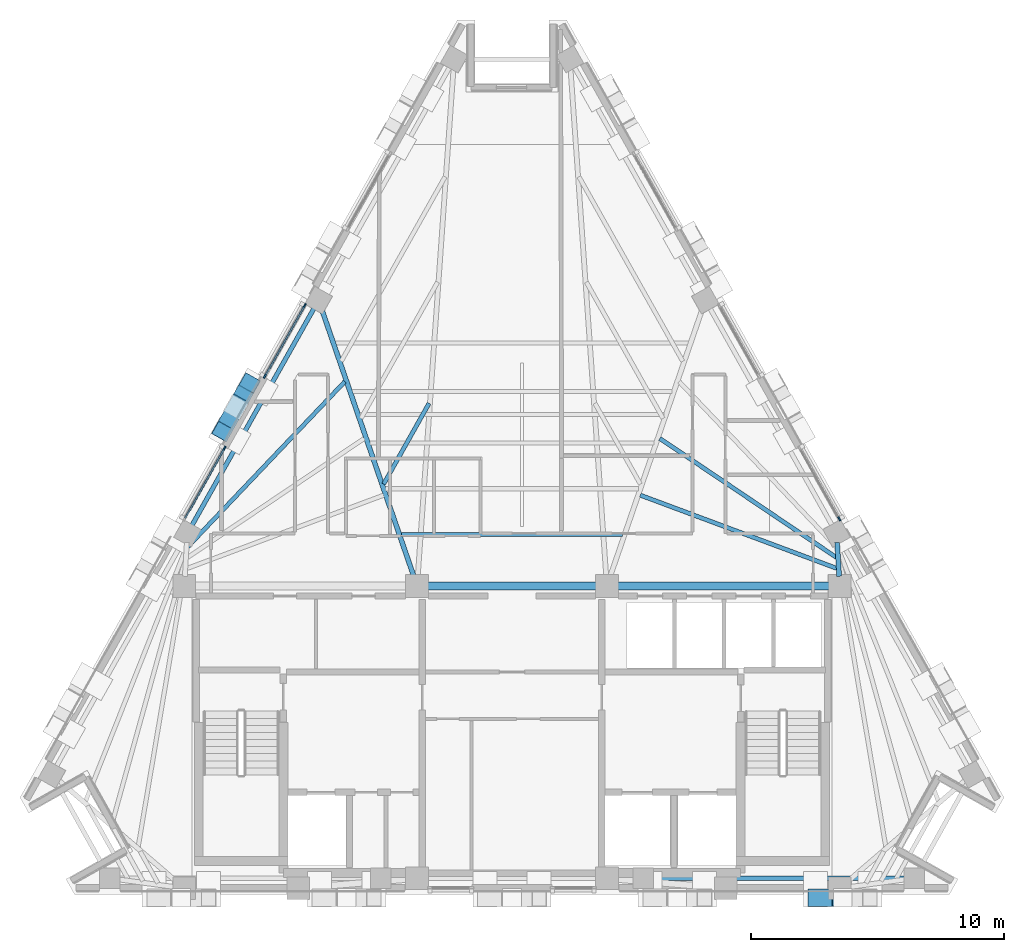
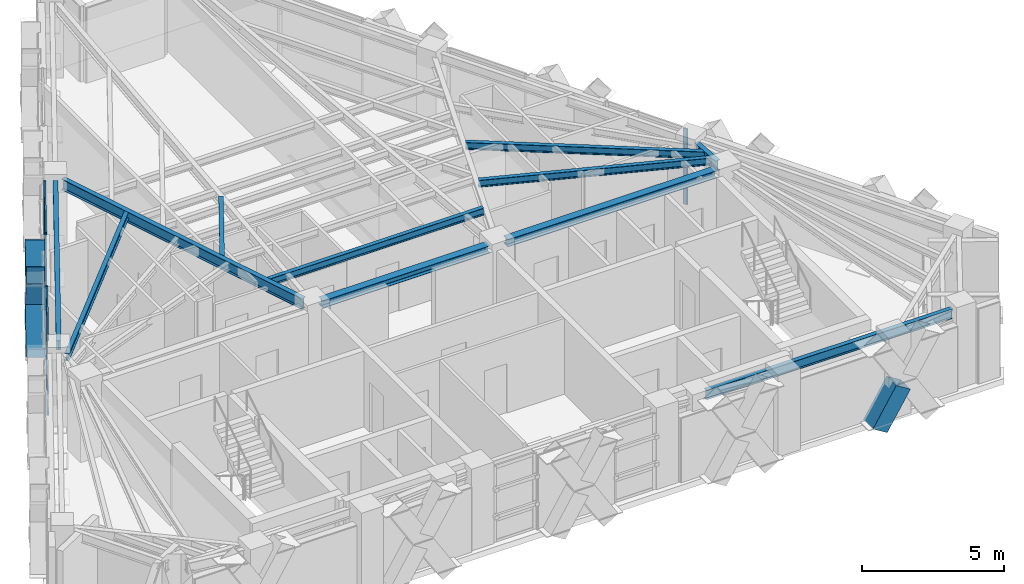
# One storey, part 3 of 11: 14 members, 11 beams, 3 elements without a shape of their own.
"""IFC4 building model written with IfcOpenShell, lengths in metres."""

import ifcopenshell
import ifcopenshell.guid

model = None  # the IFC model being written
_history = None  # IfcOwnerHistory: only IFC2X3 demands one
_inside = {}  # id of a spatial element -> (the spatial element, [elements in it])
_under = {}  # id of a project, library or spatial element -> (it, [spatial elements below it])
_declared = {}  # id of a project -> (the project, [libraries it declares])
_typed = {}  # id of a type object -> (the type object, [elements of that type])
_made_of = {}  # id of a material, layer set ... -> (it, [elements and type objects made of it])


def new_model(schema):
    """Start an empty IFC model of exactly this schema.

    Asked for "IFC4X3", IfcOpenShell would pick the latest addendum, in which some entities
    have other attributes; the version numbers below select the first issue.
    IFC2X3 requires an IfcOwnerHistory on every rooted entity: one is made here for all.
    """
    global model, _history
    if schema == "IFC4X3":
        model = ifcopenshell.file(schema_version=(4, 3, 0, 0))
    else:
        model = ifcopenshell.file(schema=schema)
    _inside.clear()
    _under.clear()
    _declared.clear()
    _typed.clear()
    _made_of.clear()
    _history = None
    if model.schema == "IFC2X3":
        org = make("IfcOrganization", Name="unknown")
        user = make(
            "IfcPersonAndOrganization",
            ThePerson=make("IfcPerson", FamilyName="unknown"),
            TheOrganization=org,
        )
        app = make(
            "IfcApplication",
            ApplicationDeveloper=org,
            Version="unknown",
            ApplicationFullName="unknown",
            ApplicationIdentifier="unknown",
        )
        _history = make(
            "IfcOwnerHistory",
            OwningUser=user,
            OwningApplication=app,
            ChangeAction="ADDED",
            CreationDate=0,
        )
    return model


def make(cls, **values):
    """One entity of the class cls with the attributes given. An attribute that is None is left unset."""
    return model.create_entity(
        cls, **{name: value for name, value in values.items() if value is not None}
    )


def rooted(cls, **values):
    """An entity with a GlobalId (a new one), such as an element, a storey or a relation."""
    return make(cls, GlobalId=ifcopenshell.guid.new(), OwnerHistory=_history, **values)


def si_unit(unit_type, name, prefix=None):
    """IfcSIUnit, for example si_unit("LENGTHUNIT", "METRE", prefix="MILLI")."""
    return make("IfcSIUnit", UnitType=unit_type, Prefix=prefix, Name=name)


def assignment(units):
    """IfcUnitAssignment: the units of a project."""
    return None if units is None else make("IfcUnitAssignment", Units=units)


def point(xyz):
    """IfcCartesianPoint."""
    return None if xyz is None else make("IfcCartesianPoint", Coordinates=xyz)


def direction(xyz):
    """IfcDirection."""
    return None if xyz is None else make("IfcDirection", DirectionRatios=xyz)


def frame(location, z_axis=None, x_axis=None):
    """IfcAxis2Placement3D, a coordinate frame: its origin and axes. An axis left out is left unset."""
    return make(
        "IfcAxis2Placement3D",
        Location=point(location),
        Axis=direction(z_axis),
        RefDirection=direction(x_axis),
    )


def frame_2d(location, x_axis=None):
    """IfcAxis2Placement2D, a coordinate frame in the plane: its origin and x axis."""
    return make(
        "IfcAxis2Placement2D", Location=point(location), RefDirection=direction(x_axis)
    )


def origin():
    """The frame at (0, 0, 0) with its axes left unset."""
    return frame((0.0, 0.0, 0.0))


def origin_2d():
    """The frame at (0, 0) in the plane with its x axis left unset."""
    return frame_2d((0.0, 0.0))


def place(relative_to, where):
    """IfcLocalPlacement: puts the frame where relative to a parent placement (None: the world)."""
    return make(
        "IfcLocalPlacement", PlacementRelTo=relative_to, RelativePlacement=where
    )


def context(
    kind, dimensions, precision=None, world=None, true_north=None, identifier=None
):
    """IfcGeometricRepresentationContext, for example the 3D "Model" context."""
    return make(
        "IfcGeometricRepresentationContext",
        ContextIdentifier=identifier,
        ContextType=kind,
        CoordinateSpaceDimension=dimensions,
        Precision=precision,
        WorldCoordinateSystem=world,
        TrueNorth=true_north,
    )


def subcontext(parent, identifier, kind, view, scale=None):
    """IfcGeometricRepresentationSubContext, for example "Body" below "Model"."""
    return make(
        "IfcGeometricRepresentationSubContext",
        ContextIdentifier=identifier,
        ContextType=kind,
        ParentContext=parent,
        TargetScale=scale,
        TargetView=view,
    )


def project(units=None, contexts=None):
    """IfcProject with its units and contexts."""
    return rooted(
        "IfcProject",
        Name="project",
        RepresentationContexts=contexts,
        UnitsInContext=assignment(units),
    )


def spatial(cls, under=None, at=None, **own):
    """A site, building, storey or space (cls), placed at a placement, below another one or the project."""
    s = rooted(cls, ObjectPlacement=at, **own)
    if under is not None:
        _under.setdefault(under.id(), (under, []))[1].append(s)
    return s


def profile(cls, at=None, kind="AREA", **sizes):
    """A parametric profile (cls). Its sizes go by their IFC names, for example OverallWidth=200.0."""
    return make(cls, ProfileType=kind, Position=at, **sizes)


def rectangle(**sizes):
    """IfcRectangleProfileDef."""
    return profile("IfcRectangleProfileDef", **sizes)


def hollow_rectangle(**sizes):
    """IfcRectangleHollowProfileDef."""
    return profile("IfcRectangleHollowProfileDef", **sizes)


def i_section(**sizes):
    """IfcIShapeProfileDef."""
    return profile("IfcIShapeProfileDef", **sizes)


def extrude(swept, where, along, depth):
    """IfcExtrudedAreaSolid: the profile swept, set in the frame where, extruded along a direction by depth."""
    return make(
        "IfcExtrudedAreaSolid",
        SweptArea=swept,
        Position=where,
        ExtrudedDirection=direction(along),
        Depth=depth,
    )


def shape(context_of_items, identifier, shape_type, items):
    """IfcShapeRepresentation: the items that make up one representation, for example the "Body"."""
    return make(
        "IfcShapeRepresentation",
        ContextOfItems=context_of_items,
        RepresentationIdentifier=identifier,
        RepresentationType=shape_type,
        Items=items,
    )


def material(Name=None, Category=None):
    """IfcMaterial."""
    return make("IfcMaterial", Name=Name, Category=Category)


def material_profile(
    of_material, cross_section, Name=None, Category=None, Priority=None
):
    """IfcMaterialProfile: a cross section and its material."""
    return make(
        "IfcMaterialProfile",
        Name=Name,
        Material=of_material,
        Profile=cross_section,
        Priority=Priority,
        Category=Category,
    )


def profile_set(profiles, Name=None, composite=None):
    """IfcMaterialProfileSet."""
    return make(
        "IfcMaterialProfileSet",
        Name=Name,
        MaterialProfiles=profiles,
        CompositeProfile=composite,
    )


def made_of(thing, what):
    """Note that an element or type object is made of a material, layer set ...; save() writes the relation."""
    if what is not None:
        _made_of.setdefault(what.id(), (what, []))[1].append(thing)
    return thing


def type_object(cls, material=None, **own):
    """A type object (cls), such as IfcWallType, which elements share."""
    return made_of(rooted(cls, **own), material)


def element(
    cls,
    number,
    at=None,
    inside=None,
    cuts=None,
    type_object=None,
    material=None,
    context=None,
    identifier="Body",
    shape_type=None,
    held_by="IfcProductDefinitionShape",
    body=None,
    shapes=None,
    **own,
):
    """One element of the class cls, such as IfcWall. Its Tag is "e" and its number.

    at: its placement. inside: the storey or other place that contains it. cuts: it is an
    opening in that element (IfcRelVoidsElement). A single representation is given by context,
    identifier, shape_type and body (its items); several are given by shapes. held_by: the class
    of the entity that holds the representations. save() writes the other relations.
    """
    e = rooted(cls, Tag="e%d" % number, ObjectPlacement=at, **own)
    if body is not None:
        shapes = [shape(context, identifier, shape_type, body)]
    if shapes is not None:
        e.Representation = make(held_by, Representations=shapes)
    if inside is not None:
        _inside.setdefault(inside.id(), (inside, []))[1].append(e)
    if cuts is not None:
        rooted(
            "IfcRelVoidsElement", RelatingBuildingElement=cuts, RelatedOpeningElement=e
        )
    if type_object is not None:
        _typed.setdefault(type_object.id(), (type_object, []))[1].append(e)
    return made_of(e, material)


def aggregate(whole, parts):
    """IfcRelAggregates: a whole, such as a stair, and the parts it consists of."""
    return rooted("IfcRelAggregates", RelatingObject=whole, RelatedObjects=parts)


def save(model, path):
    """Write the relations noted so far, then the file.

    IfcRelAggregates (storeys below a building ...), IfcRelContainedInSpatialStructure (elements
    in a storey), IfcRelDefinesByType, IfcRelAssociatesMaterial and IfcRelDeclares: one each for
    every whole, place, type object, material and project.
    """
    for whole, parts in _under.values():
        aggregate(whole, parts)
    for where, things in _inside.values():
        rooted(
            "IfcRelContainedInSpatialStructure",
            RelatedElements=things,
            RelatingStructure=where,
        )
    for kind, things in _typed.values():
        rooted("IfcRelDefinesByType", RelatedObjects=things, RelatingType=kind)
    for what, things in _made_of.values():
        rooted("IfcRelAssociatesMaterial", RelatedObjects=things, RelatingMaterial=what)
    for by, libraries in _declared.values():
        rooted("IfcRelDeclares", RelatingContext=by, RelatedDefinitions=libraries)
    model.write(path)


model = new_model("IFC4")

# Units and contexts
model_context = context("Model", 3, precision=1e-05, world=origin(), true_north=direction((0.0, 1.0)))
body_context = subcontext(model_context, "Body", "Model", "MODEL_VIEW")
ifc_project = project(units=[si_unit("LENGTHUNIT", "METRE"), si_unit("AREAUNIT", "SQUARE_METRE"), si_unit("VOLUMEUNIT", "CUBIC_METRE"), si_unit("PLANEANGLEUNIT", "RADIAN"), si_unit("MASSUNIT", "GRAM", prefix="KILO")], contexts=[model_context])

# Site, building, storey
site_placement = place(None, origin())
site = spatial("IfcSite", under=ifc_project, at=site_placement, CompositionType="ELEMENT")
building_placement = place(site_placement, origin())
building = spatial("IfcBuilding", under=site, at=building_placement, Name="Quenlor Broadcast Tower", CompositionType="ELEMENT")
storey_placement = place(building_placement, frame((0.0, 0.0, 263.89990234375)))
storey = spatial("IfcBuildingStorey", under=building, at=storey_placement, Name="L73", CompositionType="ELEMENT", Elevation=263.89990234375)

# Curtain wall, member
ifc_material_1 = material(Name="Architectural Terracotta and Low-E Glazing", Category="masonry")
curtain_wall_type = type_object("IfcCurtainWallType", Name="Unitised Terracotta Curtain Wall System Z5", PredefinedType="NOTDEFINED", material=ifc_material_1)
curtain_wall_1_placement = place(storey_placement, origin())
curtain_wall_1 = element("IfcCurtainWall", 1, at=curtain_wall_1_placement, inside=storey, type_object=curtain_wall_type, Name="L73 Curtain Wall CW5 (L73-NE-G2)", PredefinedType="NOTDEFINED")
ifc_material_2 = material(Name="Aluminium 6063-T6", Category="aluminium")
ifc_material_profile_1 = material_profile(ifc_material_2, rectangle(XDim=0.06494140625, YDim=0.169921875, at=origin_2d()))
ifc_profile_set_1 = profile_set([ifc_material_profile_1], Name="Aluminium 6063-T6 MULL65x170")
member_type_1 = type_object("IfcMemberType", Name="CW5 Aluminium Mullion MULL_CW5", PredefinedType="MULLION", material=ifc_profile_set_1)
member_1_placement = place(storey_placement, frame((12.930419921875, -2.1484375, 0.0), z_axis=(0.0, 0.0, 1.0), x_axis=(0.871574721405, 0.490262689797, 0.0)))
member_1 = element("IfcMember", 2, at=member_1_placement, type_object=member_type_1, Name="CW5 mullion 2", PredefinedType="MULLION", context=body_context, shape_type="SweptSolid", body=[
    extrude(rectangle(XDim=0.06494140625, YDim=0.169921875, at=origin_2d()), origin(), (0.0, 0.0, 1.0), 3.25),
])
aggregate(curtain_wall_1, [member_1])

curtain_wall_2_placement = place(storey_placement, origin())
curtain_wall_2 = element("IfcCurtainWall", 3, at=curtain_wall_2_placement, inside=storey, type_object=curtain_wall_type, Name="L73 Curtain Wall CW5 (L73-NW-G1)", PredefinedType="NOTDEFINED")
member_2_placement = place(storey_placement, frame((-11.357177734375, 0.6484375, 0.0), z_axis=(0.0, 0.0, 1.0), x_axis=(-0.871574721405, 0.490262689797, 0.0)))
member_2 = element("IfcMember", 4, at=member_2_placement, type_object=member_type_1, Name="CW5 mullion 2", PredefinedType="MULLION", context=body_context, shape_type="SweptSolid", body=[
    extrude(rectangle(XDim=0.06494140625, YDim=0.169921875, at=origin_2d()), origin(), (0.0, 0.0, 1.0), 3.25),
])

# Curtain wall, members
curtain_wall_3_placement = place(storey_placement, origin())
curtain_wall_3 = element("IfcCurtainWall", 5, at=curtain_wall_3_placement, inside=storey, type_object=curtain_wall_type, Name="L73 Curtain Wall CW5 (L73-NW-G2)", PredefinedType="NOTDEFINED")
member_3_placement = place(storey_placement, frame((-9.763427734375, 3.48193359375, 0.0), z_axis=(0.0, 0.0, 1.0), x_axis=(-0.871574721405, 0.490262689797, 0.0)))
member_3 = element("IfcMember", 6, at=member_3_placement, type_object=member_type_1, Name="CW5 mullion 1", PredefinedType="MULLION", context=body_context, shape_type="SweptSolid", body=[
    extrude(rectangle(XDim=0.06494140625, YDim=0.169921875, at=origin_2d()), origin(), (0.0, 0.0, 1.0), 3.25),
])
member_4_placement = place(storey_placement, frame((-8.190185546875, 6.27880859375, 0.0), z_axis=(0.0, 0.0, 1.0), x_axis=(-0.871574721405, 0.490262689797, 0.0)))
member_4 = element("IfcMember", 7, at=member_4_placement, type_object=member_type_1, Name="CW5 mullion 2", PredefinedType="MULLION", context=body_context, shape_type="SweptSolid", body=[
    extrude(rectangle(XDim=0.06494140625, YDim=0.169921875, at=origin_2d()), origin(), (0.0, 0.0, 1.0), 3.25),
])

# Member
ifc_material_3 = material(Name="Aluminium 6063-T6", Category="aluminium")
ifc_material_profile_2 = material_profile(ifc_material_3, rectangle(XDim=0.06494140625, YDim=0.139892578125, at=origin_2d()))
ifc_profile_set_2 = profile_set([ifc_material_profile_2], Name="Aluminium 6063-T6 TRAN65x140")
member_type_2 = type_object("IfcMemberType", Name="CW5 Aluminium Transom TRAN_CW5", PredefinedType="USERDEFINED", material=ifc_profile_set_2)
member_5_placement = place(storey_placement, frame((-12.91455078125, -2.1201171875, 0.03271484375), z_axis=(0.490290733046, 0.871558946422, 0.0), x_axis=(-0.871558946422, 0.490290733046, 0.0)))
member_5 = element("IfcMember", 8, at=member_5_placement, type_object=member_type_2, Name="CW5 transom 1.1", ObjectType="TRANSOM", PredefinedType="USERDEFINED", context=body_context, shape_type="SweptSolid", body=[
    extrude(rectangle(XDim=0.06494140625, YDim=0.139892578125, at=origin_2d()), origin(), (0.0, 0.0, 1.0), 3.14404296875),
])

member_6_placement = place(storey_placement, frame((-12.91455078125, -2.1201171875, 0.9501953125), z_axis=(0.490290733046, 0.871558946422, 0.0), x_axis=(-0.871558946422, 0.490290733046, 0.0)))
member_6 = element("IfcMember", 9, at=member_6_placement, type_object=member_type_2, Name="CW5 transom 1.2", ObjectType="TRANSOM", PredefinedType="USERDEFINED", context=body_context, shape_type="SweptSolid", body=[
    extrude(rectangle(XDim=0.06494140625, YDim=0.139892578125, at=origin_2d()), origin(), (0.0, 0.0, 1.0), 3.14404296875),
])

member_7_placement = place(storey_placement, frame((-12.91455078125, -2.1201171875, 3.217529296875), z_axis=(0.490290733046, 0.871558946422, 0.0), x_axis=(-0.871558946422, 0.490290733046, 0.0)))
member_7 = element("IfcMember", 10, at=member_7_placement, type_object=member_type_2, Name="CW5 transom 1.3", ObjectType="TRANSOM", PredefinedType="USERDEFINED", context=body_context, shape_type="SweptSolid", body=[
    extrude(rectangle(XDim=0.06494140625, YDim=0.139892578125, at=origin_2d()), origin(), (0.0, 0.0, 1.0), 3.14404296875),
])

aggregate(curtain_wall_2, [member_2, member_5, member_6, member_7])

member_8_placement = place(storey_placement, frame((-9.747314453125, 3.51025390625, 0.03271484375), z_axis=(0.490231744535, 0.87159212746, 0.0), x_axis=(-0.87159212746, 0.490231744535, 0.0)))
member_8 = element("IfcMember", 11, at=member_8_placement, type_object=member_type_2, Name="CW5 transom 1.1", ObjectType="TRANSOM", PredefinedType="USERDEFINED", context=body_context, shape_type="SweptSolid", body=[
    extrude(rectangle(XDim=0.06494140625, YDim=0.139892578125, at=origin_2d()), origin(), (0.0, 0.0, 1.0), 3.14404296875),
])

member_9_placement = place(storey_placement, frame((-9.747314453125, 3.51025390625, 0.9501953125), z_axis=(0.490231744535, 0.87159212746, 0.0), x_axis=(-0.87159212746, 0.490231744535, 0.0)))
member_9 = element("IfcMember", 12, at=member_9_placement, type_object=member_type_2, Name="CW5 transom 1.2", ObjectType="TRANSOM", PredefinedType="USERDEFINED", context=body_context, shape_type="SweptSolid", body=[
    extrude(rectangle(XDim=0.06494140625, YDim=0.139892578125, at=origin_2d()), origin(), (0.0, 0.0, 1.0), 3.14404296875),
])

member_10_placement = place(storey_placement, frame((-9.747314453125, 3.51025390625, 3.217529296875), z_axis=(0.490231744535, 0.87159212746, 0.0), x_axis=(-0.87159212746, 0.490231744535, 0.0)))
member_10 = element("IfcMember", 13, at=member_10_placement, type_object=member_type_2, Name="CW5 transom 1.3", ObjectType="TRANSOM", PredefinedType="USERDEFINED", context=body_context, shape_type="SweptSolid", body=[
    extrude(rectangle(XDim=0.06494140625, YDim=0.139892578125, at=origin_2d()), origin(), (0.0, 0.0, 1.0), 3.14404296875),
])

aggregate(curtain_wall_3, [member_3, member_4, member_8, member_9, member_10])

# Beams
ifc_material_4 = material(Name="Steel S355", Category="steel")
ifc_material_profile_3 = material_profile(ifc_material_4, i_section(OverallWidth=0.304931640625, OverallDepth=0.30810546875, WebThickness=0.010009765625, FlangeThickness=0.015380859375, FilletRadius=0.0166015625, at=origin_2d()))
ifc_profile_set_3 = profile_set([ifc_material_profile_3], Name="Steel S355 310UC96.8")
beam_type_1 = type_object("IfcBeamType", Name="Core Header Beam Steel S355 310UC96.8", PredefinedType="BEAM", material=ifc_profile_set_3)
beam_1_placement = place(storey_placement, frame((-3.389892578125, -4.800048828125, 3.09619140625), z_axis=(1.0, 0.0, 0.0), x_axis=(0.0, 1.0, 0.0)))
element("IfcBeam", 14, at=beam_1_placement, inside=storey, type_object=beam_type_1, Name="L73 Core Header Beam 2", PredefinedType="BEAM", context=body_context, shape_type="SweptSolid", body=[
    extrude(i_section(OverallWidth=0.304931640625, OverallDepth=0.30810546875, WebThickness=0.010009765625, FlangeThickness=0.015380859375, FilletRadius=0.0166015625, at=origin_2d()), origin(), (0.0, 0.0, 1.0), 6.77978515625),
])
ifc_material_5 = material(Name="Steel S355", Category="steel")
ifc_material_profile_4 = material_profile(ifc_material_5, i_section(OverallWidth=0.306884765625, OverallDepth=0.314697265625, WebThickness=0.011962890625, FlangeThickness=0.018798828125, FilletRadius=0.0166015625, at=origin_2d()))
ifc_profile_set_4 = profile_set([ifc_material_profile_4], Name="Steel S355 310UC118")
beam_type_2 = type_object("IfcBeamType", Name="Core Tie Beam Steel S355 310UC118", PredefinedType="BEAM", material=ifc_profile_set_4)
beam_2_placement = place(storey_placement, frame((4.110107421875, -4.800048828125, 3.0927734375), z_axis=(1.0, 0.0, 0.0), x_axis=(0.0, 1.0, 0.0)))
element("IfcBeam", 15, at=beam_2_placement, inside=storey, type_object=beam_type_2, Name="L73 Core Tie Beam 3", PredefinedType="BEAM", context=body_context, shape_type="SweptSolid", body=[
    extrude(i_section(OverallWidth=0.306884765625, OverallDepth=0.314697265625, WebThickness=0.011962890625, FlangeThickness=0.018798828125, FilletRadius=0.0166015625, at=origin_2d()), origin(), (0.0, 0.0, 1.0), 8.47998046875),
])

# Members
ifc_material_6 = material(Name="Steel S355", Category="steel")
ifc_material_profile_5 = material_profile(ifc_material_6, hollow_rectangle(XDim=0.679931640625, YDim=0.679931640625, WallThickness=0.02001953125, at=origin_2d()))
ifc_profile_set_5 = profile_set([ifc_material_profile_5], Name="Steel S355 RHS680x680x20")
member_type_3 = type_object("IfcMemberType", Name="Perimeter Diagonal Lattice Brace Z5-Crown Steel S355 RHS680x20", PredefinedType="BRACE", material=ifc_profile_set_5)
member_11_placement = place(storey_placement, frame((11.98828125, -17.1201171875, -0.119873046875), z_axis=(0.523719849356, 0.0, 0.851890555993), x_axis=(0.0, 1.0, 0.0)))
element("IfcMember", 16, at=member_11_placement, inside=storey, type_object=member_type_3, Name="L73 Perimeter Diamond Lattice S-C1XB1", PredefinedType="BRACE", context=body_context, shape_type="SweptSolid", body=[
    extrude(hollow_rectangle(XDim=0.679931640625, YDim=0.679931640625, WallThickness=0.02001953125, at=origin_2d()), origin(), (0.0, 0.0, 1.0), 1.803955078125),
])
member_12_placement = place(storey_placement, frame((-11.443115234375, 1.3017578125, -0.119873046875), z_axis=(0.260618804175, 0.463276364439, 0.847025884529), x_axis=(-0.8715547569, 0.490298180422, 0.0)))
element("IfcMember", 17, at=member_12_placement, inside=storey, type_object=member_type_3, Name="L73 Perimeter Diamond Lattice NW-C3XA", PredefinedType="BRACE", context=body_context, shape_type="SweptSolid", body=[
    extrude(hollow_rectangle(XDim=0.679931640625, YDim=0.679931640625, WallThickness=0.02001953125, at=origin_2d()), origin(), (0.0, 0.0, 1.0), 4.132080078125),
])
member_13_placement = place(storey_placement, frame((-10.3662109375, 3.216064453125, -0.119873046875), z_axis=(-0.26068648878, -0.463293264743, 0.846995811921), x_axis=(0.871507987664, -0.490381308207, 0.0)))
element("IfcMember", 18, at=member_13_placement, inside=storey, type_object=member_type_3, Name="L73 Perimeter Diamond Lattice NW-C3XB1", PredefinedType="BRACE", context=body_context, shape_type="SweptSolid", body=[
    extrude(hollow_rectangle(XDim=0.679931640625, YDim=0.679931640625, WallThickness=0.02001953125, at=origin_2d()), origin(), (0.0, 0.0, 1.0), 1.81591796875),
])
member_14_placement = place(storey_placement, frame((-10.9697265625, 2.14306640625, 1.841796875), z_axis=(-0.260656806259, -0.463240512825, 0.847033798988), x_axis=(0.871507987664, -0.490381308207, 0.0)))
element("IfcMember", 19, at=member_14_placement, inside=storey, type_object=member_type_3, Name="L73 Perimeter Diamond Lattice NW-C3XB2", PredefinedType="BRACE", context=body_context, shape_type="SweptSolid", body=[
    extrude(hollow_rectangle(XDim=0.679931640625, YDim=0.679931640625, WallThickness=0.02001953125, at=origin_2d()), origin(), (0.0, 0.0, 1.0), 1.816162109375),
])

# Beams
ifc_material_7 = material(Name="Steel S355", Category="steel")
ifc_material_profile_6 = material_profile(ifc_material_7, i_section(OverallWidth=0.177978515625, OverallDepth=0.406494140625, WebThickness=0.0078125, FlangeThickness=0.0126953125, FilletRadius=0.011474609375, at=origin_2d()))
ifc_profile_set_6 = profile_set([ifc_material_profile_6], Name="Steel S355 410UB59.7")
beam_type_3 = type_object("IfcBeamType", Name="Perimeter Spandrel Beam Z5 Steel S355 410UB59.7", PredefinedType="SPANDREL", material=ifc_profile_set_6)
beam_3_placement = place(storey_placement, frame((5.5439453125, -16.35009765625, 3.046875), z_axis=(1.0, 0.0, 0.0), x_axis=(0.0, 1.0, 0.0)))
element("IfcBeam", 20, at=beam_3_placement, inside=storey, type_object=beam_type_3, Name="L73 Spandrel Beam S3-S4", PredefinedType="SPANDREL", context=body_context, shape_type="SweptSolid", body=[
    extrude(i_section(OverallWidth=0.177978515625, OverallDepth=0.406494140625, WebThickness=0.0078125, FlangeThickness=0.0126953125, FilletRadius=0.011474609375, at=origin_2d()), origin(), (0.0, 0.0, 1.0), 9.99365234375),
])
beam_4_placement = place(storey_placement, frame((-7.818115234375, 6.175537109375, 3.046875), z_axis=(-0.49024947634, -0.871582153872, 0.0), x_axis=(0.871582153872, -0.49024947634, 0.0)))
element("IfcBeam", 21, at=beam_4_placement, inside=storey, type_object=beam_type_3, Name="L73 Spandrel Beam NW2-NW3", PredefinedType="SPANDREL", context=body_context, shape_type="SweptSolid", body=[
    extrude(i_section(OverallWidth=0.177978515625, OverallDepth=0.406494140625, WebThickness=0.0078125, FlangeThickness=0.0126953125, FilletRadius=0.011474609375, at=origin_2d()), origin(), (0.0, 0.0, 1.0), 9.853759765625),
])
ifc_material_8 = material(Name="Steel S355", Category="steel")
ifc_material_profile_7 = material_profile(ifc_material_8, i_section(OverallWidth=0.166015625, OverallDepth=0.30712890625, WebThickness=0.006591796875, FlangeThickness=0.01171875, FilletRadius=0.011474609375, at=origin_2d()))
ifc_profile_set_7 = profile_set([ifc_material_profile_7], Name="Steel S355 310UB46.2")
beam_type_4 = type_object("IfcBeamType", Name="Tower Composite Joist Z4-Z5 Steel S355 310UB46.2", PredefinedType="JOIST", material=ifc_profile_set_7)
beam_5_placement = place(storey_placement, frame((-4.37060546875, -2.767822265625, 3.096435546875), z_axis=(1.0, 0.0, 0.0), x_axis=(0.0, 1.0, 0.0)))
element("IfcBeam", 22, at=beam_5_placement, inside=storey, type_object=beam_type_4, Name="L73 Secondary Composite Joist 1", PredefinedType="JOIST", context=body_context, shape_type="SweptSolid", body=[
    extrude(i_section(OverallWidth=0.166015625, OverallDepth=0.30712890625, WebThickness=0.006591796875, FlangeThickness=0.01171875, FilletRadius=0.011474609375, at=origin_2d()), origin(), (0.0, 0.0, 1.0), 8.7412109375),
])
beam_6_placement = place(storey_placement, frame((-12.80517578125, -3.249267578125, 3.096435546875), z_axis=(0.689023306429, 0.724739182877, 0.0), x_axis=(-0.724739182877, 0.689023306429, 0.0)))
element("IfcBeam", 23, at=beam_6_placement, inside=storey, type_object=beam_type_4, Name="L73 Secondary Composite Joist 9", PredefinedType="JOIST", context=body_context, shape_type="SweptSolid", body=[
    extrude(i_section(OverallWidth=0.166015625, OverallDepth=0.30712890625, WebThickness=0.006591796875, FlangeThickness=0.01171875, FilletRadius=0.011474609375, at=origin_2d()), origin(), (0.0, 0.0, 1.0), 8.99560546875),
])
beam_7_placement = place(storey_placement, frame((12.835205078125, -4.108642578125, 3.096435546875), z_axis=(-0.937062080226, 0.349162795559, 0.0), x_axis=(-0.349162795559, -0.937062080226, 0.0)))
element("IfcBeam", 24, at=beam_7_placement, inside=storey, type_object=beam_type_4, Name="L73 Secondary Composite Joist 10", PredefinedType="JOIST", context=body_context, shape_type="SweptSolid", body=[
    extrude(i_section(OverallWidth=0.166015625, OverallDepth=0.30712890625, WebThickness=0.006591796875, FlangeThickness=0.01171875, FilletRadius=0.011474609375, at=origin_2d()), origin(), (0.0, 0.0, 1.0), 8.286376953125),
])
beam_8_placement = place(storey_placement, frame((12.81884765625, -3.67724609375, 3.096435546875), z_axis=(-0.829286301475, 0.558823970661, 0.0), x_axis=(-0.558823970661, -0.829286301475, 0.0)))
element("IfcBeam", 25, at=beam_8_placement, inside=storey, type_object=beam_type_4, Name="L73 Secondary Composite Joist 11", PredefinedType="JOIST", context=body_context, shape_type="SweptSolid", body=[
    extrude(i_section(OverallWidth=0.166015625, OverallDepth=0.30712890625, WebThickness=0.006591796875, FlangeThickness=0.01171875, FilletRadius=0.011474609375, at=origin_2d()), origin(), (0.0, 0.0, 1.0), 8.415771484375),
])
beam_9_placement = place(storey_placement, frame((-3.2763671875, 2.41455078125, 3.096435546875), z_axis=(-0.490258076222, -0.871577316535, 0.0), x_axis=(0.871577316535, -0.490258076222, 0.0)))
element("IfcBeam", 26, at=beam_9_placement, inside=storey, type_object=beam_type_4, Name="L73 Secondary Composite Joist 25", PredefinedType="JOIST", context=body_context, shape_type="SweptSolid", body=[
    extrude(i_section(OverallWidth=0.166015625, OverallDepth=0.30712890625, WebThickness=0.006591796875, FlangeThickness=0.01171875, FilletRadius=0.011474609375, at=origin_2d()), origin(), (0.0, 0.0, 1.0), 3.6640625),
])
ifc_material_9 = material(Name="Steel S355", Category="steel")
ifc_material_profile_8 = material_profile(ifc_material_9, i_section(OverallWidth=0.19091796875, OverallDepth=0.46044921875, WebThickness=0.010009765625, FlangeThickness=0.01611328125, FilletRadius=0.011474609375, at=origin_2d()))
ifc_profile_set_8 = profile_set([ifc_material_profile_8], Name="Steel S355 460UB82.1")
beam_type_5 = type_object("IfcBeamType", Name="Tower Primary Floor Beam Z5 Steel S355 460UB82.1", PredefinedType="BEAM", material=ifc_profile_set_8)
beam_10_placement = place(storey_placement, frame((12.84716796875, -3.086181640625, 3.02001953125), z_axis=(0.059899569349, -0.998204408722, 0.0), x_axis=(0.998204408722, 0.059899569349, 0.0)))
element("IfcBeam", 27, at=beam_10_placement, inside=storey, type_object=beam_type_5, Name="L73 Primary Radial Beam NE2", PredefinedType="BEAM", context=body_context, shape_type="SweptSolid", body=[
    extrude(i_section(OverallWidth=0.19091796875, OverallDepth=0.46044921875, WebThickness=0.010009765625, FlangeThickness=0.01611328125, FilletRadius=0.011474609375, at=origin_2d()), origin(), (0.0, 0.0, 1.0), 1.3369140625),
])
beam_11_placement = place(storey_placement, frame((-7.524169921875, 6.14892578125, 3.02001953125), z_axis=(0.325895297662, -0.945405867848, 0.0), x_axis=(0.945405867848, 0.325895297662, 0.0)))
element("IfcBeam", 28, at=beam_11_placement, inside=storey, type_object=beam_type_5, Name="L73 Primary Radial Beam NW2", PredefinedType="BEAM", context=body_context, shape_type="SweptSolid", body=[
    extrude(i_section(OverallWidth=0.19091796875, OverallDepth=0.46044921875, WebThickness=0.010009765625, FlangeThickness=0.01611328125, FilletRadius=0.011474609375, at=origin_2d()), origin(), (0.0, 0.0, 1.0), 11.201171875),
])

save(model, "model.ifc")
